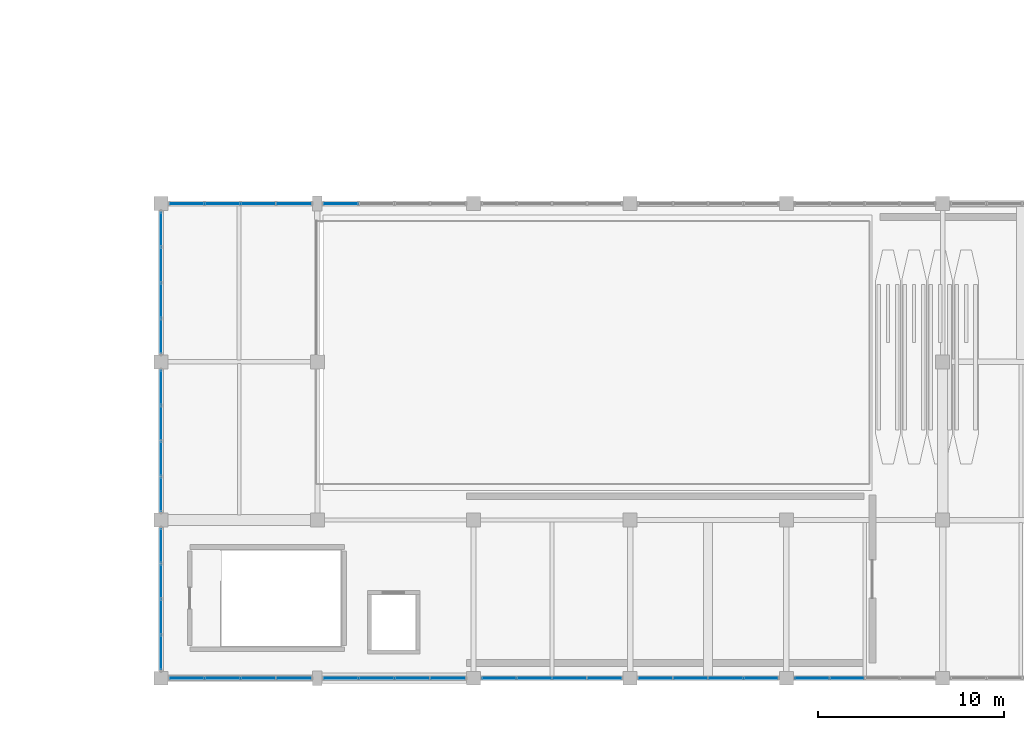
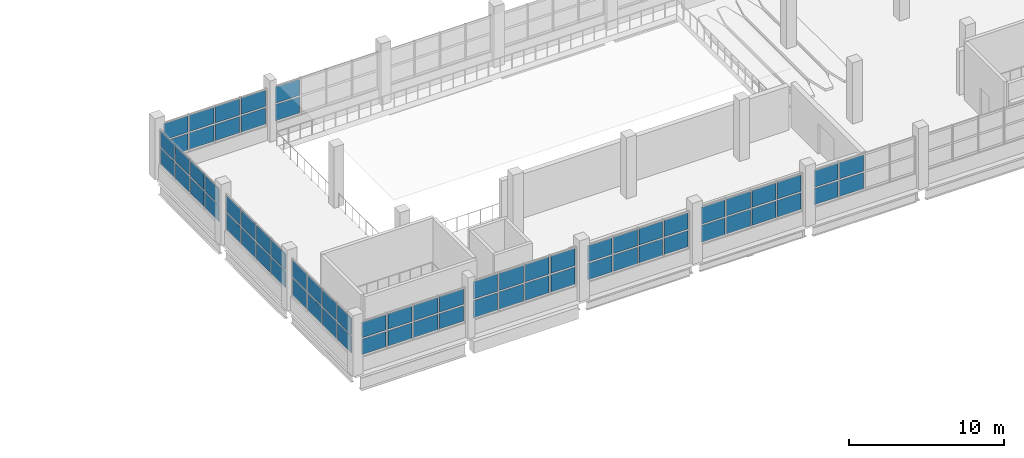
# One storey, part 54 of 77: 70 plates, 10 elements without a shape of their own.
"""IFC4 building model written with IfcOpenShell, lengths in metres."""

from ifc_helpers import new_model, si_unit, direction, frame, origin, origin_2d, place, context, subcontext, project, spatial, rectangle, extrude, material, type_object, element, aggregate, save


model = new_model("IFC4")

# Units and contexts
model_context = context("Model", 3, precision=1e-05, world=origin(), true_north=direction((0.0, 1.0)))
body_context = subcontext(model_context, "Body", "Model", "MODEL_VIEW")
ifc_project = project(units=[si_unit("LENGTHUNIT", "METRE"), si_unit("AREAUNIT", "SQUARE_METRE"), si_unit("VOLUMEUNIT", "CUBIC_METRE"), si_unit("PLANEANGLEUNIT", "RADIAN"), si_unit("MASSUNIT", "GRAM", prefix="KILO")], contexts=[model_context])

# Site, building, storey
site_placement = place(None, origin())
site = spatial("IfcSite", under=ifc_project, at=site_placement, CompositionType="ELEMENT")
building_placement = place(site_placement, origin())
building = spatial("IfcBuilding", under=site, at=building_placement, Name="Solvento Point Concert Hall", CompositionType="ELEMENT")
storey_placement = place(building_placement, frame((0.0, 0.0, 10.199951171875)))
storey = spatial("IfcBuildingStorey", under=building, at=storey_placement, Name="L02", CompositionType="ELEMENT", Elevation=10.199951171875)

# Curtain wall, plates
ifc_material_1 = material(Name="Anodized Bronze Aluminium", Category="aluminium")
curtain_wall_type = type_object("IfcCurtainWallType", Name="CurtainWall_ChamberCircle", PredefinedType="USERDEFINED", material=ifc_material_1)
curtain_wall_1_placement = place(storey_placement, origin())
curtain_wall_1 = element("IfcCurtainWall", 1, at=curtain_wall_1_placement, inside=storey, type_object=curtain_wall_type, Name="Unitised curtain wall CW-32 UCW-L02-145", ObjectType="UNITISED CURTAIN WALL", PredefinedType="USERDEFINED")
ifc_material_2 = material(Name="Hurricane Laminated Low-E Glass", Category="glass")
plate_type = type_object("IfcPlateType", Name="CurtainPanel_ChamberCircle", PredefinedType="CURTAIN_PANEL", material=ifc_material_2)
plate_1_placement = place(storey_placement, frame((151.384521484375, 25.5, 1.240234375), z_axis=(0.0, 0.0, 1.0), x_axis=(1.0, 0.0, 0.0)))
plate_1 = element("IfcPlate", 2, at=plate_1_placement, type_object=plate_type, Name="Glazed curtain panel GL-05", PredefinedType="CURTAIN_PANEL", context=body_context, shape_type="SweptSolid", body=[
    extrude(rectangle(XDim=1.798583984375, YDim=0.048095703125, at=origin_2d()), origin(), (0.0, 0.0, 1.0), 1.277099609375),
])
plate_2_placement = place(storey_placement, frame((151.384521484375, 25.5, 2.63720703125), z_axis=(0.0, 0.0, 1.0), x_axis=(1.0, 0.0, 0.0)))
plate_2 = element("IfcPlate", 3, at=plate_2_placement, type_object=plate_type, Name="Glazed curtain panel GL-05", PredefinedType="CURTAIN_PANEL", context=body_context, shape_type="SweptSolid", body=[
    extrude(rectangle(XDim=1.798583984375, YDim=0.048095703125, at=origin_2d()), origin(), (0.0, 0.0, 1.0), 1.277099609375),
])
plate_3_placement = place(storey_placement, frame((153.302978515625, 25.5, 1.240234375), z_axis=(0.0, 0.0, 1.0), x_axis=(1.0, 0.0, 0.0)))
plate_3 = element("IfcPlate", 4, at=plate_3_placement, type_object=plate_type, Name="Glazed curtain panel GL-05", PredefinedType="CURTAIN_PANEL", context=body_context, shape_type="SweptSolid", body=[
    extrude(rectangle(XDim=1.798583984375, YDim=0.048095703125, at=origin_2d()), origin(), (0.0, 0.0, 1.0), 1.277099609375),
])
plate_4_placement = place(storey_placement, frame((153.302978515625, 25.5, 2.63720703125), z_axis=(0.0, 0.0, 1.0), x_axis=(1.0, 0.0, 0.0)))
plate_4 = element("IfcPlate", 5, at=plate_4_placement, type_object=plate_type, Name="Glazed curtain panel GL-05", PredefinedType="CURTAIN_PANEL", context=body_context, shape_type="SweptSolid", body=[
    extrude(rectangle(XDim=1.798583984375, YDim=0.048095703125, at=origin_2d()), origin(), (0.0, 0.0, 1.0), 1.277099609375),
])
plate_5_placement = place(storey_placement, frame((155.221923828125, 25.5, 1.240234375), z_axis=(0.0, 0.0, 1.0), x_axis=(1.0, 0.0, 0.0)))
plate_5 = element("IfcPlate", 6, at=plate_5_placement, type_object=plate_type, Name="Glazed curtain panel GL-05", PredefinedType="CURTAIN_PANEL", context=body_context, shape_type="SweptSolid", body=[
    extrude(rectangle(XDim=1.798583984375, YDim=0.048095703125, at=origin_2d()), origin(), (0.0, 0.0, 1.0), 1.277099609375),
])
plate_6_placement = place(storey_placement, frame((155.221923828125, 25.5, 2.63720703125), z_axis=(0.0, 0.0, 1.0), x_axis=(1.0, 0.0, 0.0)))
plate_6 = element("IfcPlate", 7, at=plate_6_placement, type_object=plate_type, Name="Glazed curtain panel GL-05", PredefinedType="CURTAIN_PANEL", context=body_context, shape_type="SweptSolid", body=[
    extrude(rectangle(XDim=1.798583984375, YDim=0.048095703125, at=origin_2d()), origin(), (0.0, 0.0, 1.0), 1.277099609375),
])
plate_7_placement = place(storey_placement, frame((157.140625, 25.5, 1.240234375), z_axis=(0.0, 0.0, 1.0), x_axis=(1.0, 0.0, 0.0)))
plate_7 = element("IfcPlate", 8, at=plate_7_placement, type_object=plate_type, Name="Glazed curtain panel GL-05", PredefinedType="CURTAIN_PANEL", context=body_context, shape_type="SweptSolid", body=[
    extrude(rectangle(XDim=1.798583984375, YDim=0.048095703125, at=origin_2d()), origin(), (0.0, 0.0, 1.0), 1.277099609375),
])
plate_8_placement = place(storey_placement, frame((157.140625, 25.5, 2.63720703125), z_axis=(0.0, 0.0, 1.0), x_axis=(1.0, 0.0, 0.0)))
plate_8 = element("IfcPlate", 9, at=plate_8_placement, type_object=plate_type, Name="Glazed curtain panel GL-05", PredefinedType="CURTAIN_PANEL", context=body_context, shape_type="SweptSolid", body=[
    extrude(rectangle(XDim=1.798583984375, YDim=0.048095703125, at=origin_2d()), origin(), (0.0, 0.0, 1.0), 1.277099609375),
])
aggregate(curtain_wall_1, [plate_1, plate_2, plate_3, plate_4, plate_5, plate_6, plate_7, plate_8])

curtain_wall_2_placement = place(storey_placement, origin())
curtain_wall_2 = element("IfcCurtainWall", 10, at=curtain_wall_2_placement, inside=storey, type_object=curtain_wall_type, Name="Unitised curtain wall CW-32 UCW-L02-146", ObjectType="UNITISED CURTAIN WALL", PredefinedType="USERDEFINED")
plate_9_placement = place(storey_placement, frame((159.659423828125, 25.5, 1.239990234375), z_axis=(0.0, 0.0, 1.0), x_axis=(1.0, 0.0, 0.0)))
plate_9 = element("IfcPlate", 11, at=plate_9_placement, type_object=plate_type, Name="Glazed curtain panel GL-05", PredefinedType="CURTAIN_PANEL", context=body_context, shape_type="SweptSolid", body=[
    extrude(rectangle(XDim=1.798828125, YDim=0.048095703125, at=origin_2d()), origin(), (0.0, 0.0, 1.0), 1.26708984375),
])
plate_10_placement = place(storey_placement, frame((159.659423828125, 25.5, 2.626953125), z_axis=(0.0, 0.0, 1.0), x_axis=(1.0, 0.0, 0.0)))
plate_10 = element("IfcPlate", 12, at=plate_10_placement, type_object=plate_type, Name="Glazed curtain panel GL-05", PredefinedType="CURTAIN_PANEL", context=body_context, shape_type="SweptSolid", body=[
    extrude(rectangle(XDim=1.798828125, YDim=0.048095703125, at=origin_2d()), origin(), (0.0, 0.0, 1.0), 1.26708984375),
])
aggregate(curtain_wall_2, [plate_9, plate_10])

curtain_wall_3_placement = place(storey_placement, origin())
curtain_wall_3 = element("IfcCurtainWall", 13, at=curtain_wall_3_placement, inside=storey, type_object=curtain_wall_type, Name="Unitised curtain wall CW-32 UCW-L02-155", ObjectType="UNITISED CURTAIN WALL", PredefinedType="USERDEFINED")
plate_11_placement = place(storey_placement, frame((151.384521484375, 0.0, 1.240234375), z_axis=(0.0, 0.0, 1.0), x_axis=(1.0, 0.0, 0.0)))
plate_11 = element("IfcPlate", 14, at=plate_11_placement, type_object=plate_type, Name="Glazed curtain panel GL-05", PredefinedType="CURTAIN_PANEL", context=body_context, shape_type="SweptSolid", body=[
    extrude(rectangle(XDim=1.798583984375, YDim=0.048095703125, at=origin_2d()), origin(), (0.0, 0.0, 1.0), 1.201904296875),
])
plate_12_placement = place(storey_placement, frame((151.384521484375, 0.0, 2.56201171875), z_axis=(0.0, 0.0, 1.0), x_axis=(1.0, 0.0, 0.0)))
plate_12 = element("IfcPlate", 15, at=plate_12_placement, type_object=plate_type, Name="Glazed curtain panel GL-05", PredefinedType="CURTAIN_PANEL", context=body_context, shape_type="SweptSolid", body=[
    extrude(rectangle(XDim=1.798583984375, YDim=0.048095703125, at=origin_2d()), origin(), (0.0, 0.0, 1.0), 1.201904296875),
])
plate_13_placement = place(storey_placement, frame((153.302978515625, 0.0, 1.240234375), z_axis=(0.0, 0.0, 1.0), x_axis=(1.0, 0.0, 0.0)))
plate_13 = element("IfcPlate", 16, at=plate_13_placement, type_object=plate_type, Name="Glazed curtain panel GL-05", PredefinedType="CURTAIN_PANEL", context=body_context, shape_type="SweptSolid", body=[
    extrude(rectangle(XDim=1.798583984375, YDim=0.048095703125, at=origin_2d()), origin(), (0.0, 0.0, 1.0), 1.201904296875),
])
plate_14_placement = place(storey_placement, frame((153.302978515625, 0.0, 2.56201171875), z_axis=(0.0, 0.0, 1.0), x_axis=(1.0, 0.0, 0.0)))
plate_14 = element("IfcPlate", 17, at=plate_14_placement, type_object=plate_type, Name="Glazed curtain panel GL-05", PredefinedType="CURTAIN_PANEL", context=body_context, shape_type="SweptSolid", body=[
    extrude(rectangle(XDim=1.798583984375, YDim=0.048095703125, at=origin_2d()), origin(), (0.0, 0.0, 1.0), 1.201904296875),
])
plate_15_placement = place(storey_placement, frame((155.221923828125, 0.0, 1.240234375), z_axis=(0.0, 0.0, 1.0), x_axis=(1.0, 0.0, 0.0)))
plate_15 = element("IfcPlate", 18, at=plate_15_placement, type_object=plate_type, Name="Glazed curtain panel GL-05", PredefinedType="CURTAIN_PANEL", context=body_context, shape_type="SweptSolid", body=[
    extrude(rectangle(XDim=1.798583984375, YDim=0.048095703125, at=origin_2d()), origin(), (0.0, 0.0, 1.0), 1.201904296875),
])
plate_16_placement = place(storey_placement, frame((155.221923828125, 0.0, 2.56201171875), z_axis=(0.0, 0.0, 1.0), x_axis=(1.0, 0.0, 0.0)))
plate_16 = element("IfcPlate", 19, at=plate_16_placement, type_object=plate_type, Name="Glazed curtain panel GL-05", PredefinedType="CURTAIN_PANEL", context=body_context, shape_type="SweptSolid", body=[
    extrude(rectangle(XDim=1.798583984375, YDim=0.048095703125, at=origin_2d()), origin(), (0.0, 0.0, 1.0), 1.201904296875),
])
plate_17_placement = place(storey_placement, frame((157.140625, 0.0, 1.240234375), z_axis=(0.0, 0.0, 1.0), x_axis=(1.0, 0.0, 0.0)))
plate_17 = element("IfcPlate", 20, at=plate_17_placement, type_object=plate_type, Name="Glazed curtain panel GL-05", PredefinedType="CURTAIN_PANEL", context=body_context, shape_type="SweptSolid", body=[
    extrude(rectangle(XDim=1.798583984375, YDim=0.048095703125, at=origin_2d()), origin(), (0.0, 0.0, 1.0), 1.201904296875),
])
plate_18_placement = place(storey_placement, frame((157.140625, 0.0, 2.56201171875), z_axis=(0.0, 0.0, 1.0), x_axis=(1.0, 0.0, 0.0)))
plate_18 = element("IfcPlate", 21, at=plate_18_placement, type_object=plate_type, Name="Glazed curtain panel GL-05", PredefinedType="CURTAIN_PANEL", context=body_context, shape_type="SweptSolid", body=[
    extrude(rectangle(XDim=1.798583984375, YDim=0.048095703125, at=origin_2d()), origin(), (0.0, 0.0, 1.0), 1.201904296875),
])
aggregate(curtain_wall_3, [plate_11, plate_12, plate_13, plate_14, plate_15, plate_16, plate_17, plate_18])

curtain_wall_4_placement = place(storey_placement, origin())
curtain_wall_4 = element("IfcCurtainWall", 22, at=curtain_wall_4_placement, inside=storey, type_object=curtain_wall_type, Name="Unitised curtain wall CW-32 UCW-L02-156", ObjectType="UNITISED CURTAIN WALL", PredefinedType="USERDEFINED")
plate_19_placement = place(storey_placement, frame((159.659423828125, 0.0, 1.240234375), z_axis=(0.0, 0.0, 1.0), x_axis=(1.0, 0.0, 0.0)))
plate_19 = element("IfcPlate", 23, at=plate_19_placement, type_object=plate_type, Name="Glazed curtain panel GL-05", PredefinedType="CURTAIN_PANEL", context=body_context, shape_type="SweptSolid", body=[
    extrude(rectangle(XDim=1.798828125, YDim=0.048095703125, at=origin_2d()), origin(), (0.0, 0.0, 1.0), 1.347900390625),
])
plate_20_placement = place(storey_placement, frame((159.659423828125, 0.0, 2.7080078125), z_axis=(0.0, 0.0, 1.0), x_axis=(1.0, 0.0, 0.0)))
plate_20 = element("IfcPlate", 24, at=plate_20_placement, type_object=plate_type, Name="Glazed curtain panel GL-05", PredefinedType="CURTAIN_PANEL", context=body_context, shape_type="SweptSolid", body=[
    extrude(rectangle(XDim=1.798828125, YDim=0.048095703125, at=origin_2d()), origin(), (0.0, 0.0, 1.0), 1.347900390625),
])
plate_21_placement = place(storey_placement, frame((161.578125, 0.0, 1.240234375), z_axis=(0.0, 0.0, 1.0), x_axis=(1.0, 0.0, 0.0)))
plate_21 = element("IfcPlate", 25, at=plate_21_placement, type_object=plate_type, Name="Glazed curtain panel GL-05", PredefinedType="CURTAIN_PANEL", context=body_context, shape_type="SweptSolid", body=[
    extrude(rectangle(XDim=1.798828125, YDim=0.048095703125, at=origin_2d()), origin(), (0.0, 0.0, 1.0), 1.347900390625),
])
plate_22_placement = place(storey_placement, frame((161.578125, 0.0, 2.7080078125), z_axis=(0.0, 0.0, 1.0), x_axis=(1.0, 0.0, 0.0)))
plate_22 = element("IfcPlate", 26, at=plate_22_placement, type_object=plate_type, Name="Glazed curtain panel GL-05", PredefinedType="CURTAIN_PANEL", context=body_context, shape_type="SweptSolid", body=[
    extrude(rectangle(XDim=1.798828125, YDim=0.048095703125, at=origin_2d()), origin(), (0.0, 0.0, 1.0), 1.347900390625),
])
plate_23_placement = place(storey_placement, frame((163.496826171875, 0.0, 1.240234375), z_axis=(0.0, 0.0, 1.0), x_axis=(1.0, 0.0, 0.0)))
plate_23 = element("IfcPlate", 27, at=plate_23_placement, type_object=plate_type, Name="Glazed curtain panel GL-05", PredefinedType="CURTAIN_PANEL", context=body_context, shape_type="SweptSolid", body=[
    extrude(rectangle(XDim=1.798828125, YDim=0.048095703125, at=origin_2d()), origin(), (0.0, 0.0, 1.0), 1.347900390625),
])
plate_24_placement = place(storey_placement, frame((163.496826171875, 0.0, 2.7080078125), z_axis=(0.0, 0.0, 1.0), x_axis=(1.0, 0.0, 0.0)))
plate_24 = element("IfcPlate", 28, at=plate_24_placement, type_object=plate_type, Name="Glazed curtain panel GL-05", PredefinedType="CURTAIN_PANEL", context=body_context, shape_type="SweptSolid", body=[
    extrude(rectangle(XDim=1.798828125, YDim=0.048095703125, at=origin_2d()), origin(), (0.0, 0.0, 1.0), 1.347900390625),
])
plate_25_placement = place(storey_placement, frame((165.41552734375, 0.0, 1.240234375), z_axis=(0.0, 0.0, 1.0), x_axis=(1.0, 0.0, 0.0)))
plate_25 = element("IfcPlate", 29, at=plate_25_placement, type_object=plate_type, Name="Glazed curtain panel GL-05", PredefinedType="CURTAIN_PANEL", context=body_context, shape_type="SweptSolid", body=[
    extrude(rectangle(XDim=1.798828125, YDim=0.048095703125, at=origin_2d()), origin(), (0.0, 0.0, 1.0), 1.347900390625),
])
plate_26_placement = place(storey_placement, frame((165.41552734375, 0.0, 2.7080078125), z_axis=(0.0, 0.0, 1.0), x_axis=(1.0, 0.0, 0.0)))
plate_26 = element("IfcPlate", 30, at=plate_26_placement, type_object=plate_type, Name="Glazed curtain panel GL-05", PredefinedType="CURTAIN_PANEL", context=body_context, shape_type="SweptSolid", body=[
    extrude(rectangle(XDim=1.798828125, YDim=0.048095703125, at=origin_2d()), origin(), (0.0, 0.0, 1.0), 1.347900390625),
])
aggregate(curtain_wall_4, [plate_19, plate_20, plate_21, plate_22, plate_23, plate_24, plate_25, plate_26])

curtain_wall_5_placement = place(storey_placement, origin())
curtain_wall_5 = element("IfcCurtainWall", 31, at=curtain_wall_5_placement, inside=storey, type_object=curtain_wall_type, Name="Unitised curtain wall CW-32 UCW-L02-157", ObjectType="UNITISED CURTAIN WALL", PredefinedType="USERDEFINED")
plate_27_placement = place(storey_placement, frame((168.168701171875, 0.0, 1.240234375), z_axis=(0.0, 0.0, 1.0), x_axis=(1.0, 0.0, 0.0)))
plate_27 = element("IfcPlate", 32, at=plate_27_placement, type_object=plate_type, Name="Glazed curtain panel GL-05", PredefinedType="CURTAIN_PANEL", context=body_context, shape_type="SweptSolid", body=[
    extrude(rectangle(XDim=1.767578125, YDim=0.048095703125, at=origin_2d()), origin(), (0.0, 0.0, 1.0), 1.277099609375),
])
plate_28_placement = place(storey_placement, frame((168.168701171875, 0.0, 2.63720703125), z_axis=(0.0, 0.0, 1.0), x_axis=(1.0, 0.0, 0.0)))
plate_28 = element("IfcPlate", 33, at=plate_28_placement, type_object=plate_type, Name="Glazed curtain panel GL-05", PredefinedType="CURTAIN_PANEL", context=body_context, shape_type="SweptSolid", body=[
    extrude(rectangle(XDim=1.767578125, YDim=0.048095703125, at=origin_2d()), origin(), (0.0, 0.0, 1.0), 1.277099609375),
])
plate_29_placement = place(storey_placement, frame((170.056396484375, 0.0, 1.240234375), z_axis=(0.0, 0.0, 1.0), x_axis=(1.0, 0.0, 0.0)))
plate_29 = element("IfcPlate", 34, at=plate_29_placement, type_object=plate_type, Name="Glazed curtain panel GL-05", PredefinedType="CURTAIN_PANEL", context=body_context, shape_type="SweptSolid", body=[
    extrude(rectangle(XDim=1.767578125, YDim=0.048095703125, at=origin_2d()), origin(), (0.0, 0.0, 1.0), 1.277099609375),
])
plate_30_placement = place(storey_placement, frame((170.056396484375, 0.0, 2.63720703125), z_axis=(0.0, 0.0, 1.0), x_axis=(1.0, 0.0, 0.0)))
plate_30 = element("IfcPlate", 35, at=plate_30_placement, type_object=plate_type, Name="Glazed curtain panel GL-05", PredefinedType="CURTAIN_PANEL", context=body_context, shape_type="SweptSolid", body=[
    extrude(rectangle(XDim=1.767578125, YDim=0.048095703125, at=origin_2d()), origin(), (0.0, 0.0, 1.0), 1.277099609375),
])
plate_31_placement = place(storey_placement, frame((171.943603515625, 0.0, 1.240234375), z_axis=(0.0, 0.0, 1.0), x_axis=(1.0, 0.0, 0.0)))
plate_31 = element("IfcPlate", 36, at=plate_31_placement, type_object=plate_type, Name="Glazed curtain panel GL-05", PredefinedType="CURTAIN_PANEL", context=body_context, shape_type="SweptSolid", body=[
    extrude(rectangle(XDim=1.767578125, YDim=0.048095703125, at=origin_2d()), origin(), (0.0, 0.0, 1.0), 1.277099609375),
])
plate_32_placement = place(storey_placement, frame((171.943603515625, 0.0, 2.63720703125), z_axis=(0.0, 0.0, 1.0), x_axis=(1.0, 0.0, 0.0)))
plate_32 = element("IfcPlate", 37, at=plate_32_placement, type_object=plate_type, Name="Glazed curtain panel GL-05", PredefinedType="CURTAIN_PANEL", context=body_context, shape_type="SweptSolid", body=[
    extrude(rectangle(XDim=1.767578125, YDim=0.048095703125, at=origin_2d()), origin(), (0.0, 0.0, 1.0), 1.277099609375),
])
plate_33_placement = place(storey_placement, frame((173.831298828125, 0.0, 1.240234375), z_axis=(0.0, 0.0, 1.0), x_axis=(1.0, 0.0, 0.0)))
plate_33 = element("IfcPlate", 38, at=plate_33_placement, type_object=plate_type, Name="Glazed curtain panel GL-05", PredefinedType="CURTAIN_PANEL", context=body_context, shape_type="SweptSolid", body=[
    extrude(rectangle(XDim=1.767578125, YDim=0.048095703125, at=origin_2d()), origin(), (0.0, 0.0, 1.0), 1.277099609375),
])
plate_34_placement = place(storey_placement, frame((173.831298828125, 0.0, 2.63720703125), z_axis=(0.0, 0.0, 1.0), x_axis=(1.0, 0.0, 0.0)))
plate_34 = element("IfcPlate", 39, at=plate_34_placement, type_object=plate_type, Name="Glazed curtain panel GL-05", PredefinedType="CURTAIN_PANEL", context=body_context, shape_type="SweptSolid", body=[
    extrude(rectangle(XDim=1.767578125, YDim=0.048095703125, at=origin_2d()), origin(), (0.0, 0.0, 1.0), 1.277099609375),
])
aggregate(curtain_wall_5, [plate_27, plate_28, plate_29, plate_30, plate_31, plate_32, plate_33, plate_34])

curtain_wall_6_placement = place(storey_placement, origin())
curtain_wall_6 = element("IfcCurtainWall", 40, at=curtain_wall_6_placement, inside=storey, type_object=curtain_wall_type, Name="Unitised curtain wall CW-32 UCW-L02-158", ObjectType="UNITISED CURTAIN WALL", PredefinedType="USERDEFINED")
plate_35_placement = place(storey_placement, frame((176.568603515625, 0.0, 1.240234375), z_axis=(0.0, 0.0, 1.0), x_axis=(1.0, 0.0, 0.0)))
plate_35 = element("IfcPlate", 41, at=plate_35_placement, type_object=plate_type, Name="Glazed curtain panel GL-05", PredefinedType="CURTAIN_PANEL", context=body_context, shape_type="SweptSolid", body=[
    extrude(rectangle(XDim=1.767578125, YDim=0.048095703125, at=origin_2d()), origin(), (0.0, 0.0, 1.0), 1.305419921875),
])
plate_36_placement = place(storey_placement, frame((176.568603515625, 0.0, 2.66552734375), z_axis=(0.0, 0.0, 1.0), x_axis=(1.0, 0.0, 0.0)))
plate_36 = element("IfcPlate", 42, at=plate_36_placement, type_object=plate_type, Name="Glazed curtain panel GL-05", PredefinedType="CURTAIN_PANEL", context=body_context, shape_type="SweptSolid", body=[
    extrude(rectangle(XDim=1.767578125, YDim=0.048095703125, at=origin_2d()), origin(), (0.0, 0.0, 1.0), 1.305419921875),
])
plate_37_placement = place(storey_placement, frame((178.456298828125, 0.0, 1.240234375), z_axis=(0.0, 0.0, 1.0), x_axis=(1.0, 0.0, 0.0)))
plate_37 = element("IfcPlate", 43, at=plate_37_placement, type_object=plate_type, Name="Glazed curtain panel GL-05", PredefinedType="CURTAIN_PANEL", context=body_context, shape_type="SweptSolid", body=[
    extrude(rectangle(XDim=1.767578125, YDim=0.048095703125, at=origin_2d()), origin(), (0.0, 0.0, 1.0), 1.305419921875),
])
plate_38_placement = place(storey_placement, frame((178.456298828125, 0.0, 2.66552734375), z_axis=(0.0, 0.0, 1.0), x_axis=(1.0, 0.0, 0.0)))
plate_38 = element("IfcPlate", 44, at=plate_38_placement, type_object=plate_type, Name="Glazed curtain panel GL-05", PredefinedType="CURTAIN_PANEL", context=body_context, shape_type="SweptSolid", body=[
    extrude(rectangle(XDim=1.767578125, YDim=0.048095703125, at=origin_2d()), origin(), (0.0, 0.0, 1.0), 1.305419921875),
])
plate_39_placement = place(storey_placement, frame((180.34375, 0.0, 1.240234375), z_axis=(0.0, 0.0, 1.0), x_axis=(1.0, 0.0, 0.0)))
plate_39 = element("IfcPlate", 45, at=plate_39_placement, type_object=plate_type, Name="Glazed curtain panel GL-05", PredefinedType="CURTAIN_PANEL", context=body_context, shape_type="SweptSolid", body=[
    extrude(rectangle(XDim=1.767578125, YDim=0.048095703125, at=origin_2d()), origin(), (0.0, 0.0, 1.0), 1.305419921875),
])
plate_40_placement = place(storey_placement, frame((180.34375, 0.0, 2.66552734375), z_axis=(0.0, 0.0, 1.0), x_axis=(1.0, 0.0, 0.0)))
plate_40 = element("IfcPlate", 46, at=plate_40_placement, type_object=plate_type, Name="Glazed curtain panel GL-05", PredefinedType="CURTAIN_PANEL", context=body_context, shape_type="SweptSolid", body=[
    extrude(rectangle(XDim=1.767578125, YDim=0.048095703125, at=origin_2d()), origin(), (0.0, 0.0, 1.0), 1.305419921875),
])
plate_41_placement = place(storey_placement, frame((182.231201171875, 0.0, 1.240234375), z_axis=(0.0, 0.0, 1.0), x_axis=(1.0, 0.0, 0.0)))
plate_41 = element("IfcPlate", 47, at=plate_41_placement, type_object=plate_type, Name="Glazed curtain panel GL-05", PredefinedType="CURTAIN_PANEL", context=body_context, shape_type="SweptSolid", body=[
    extrude(rectangle(XDim=1.767578125, YDim=0.048095703125, at=origin_2d()), origin(), (0.0, 0.0, 1.0), 1.305419921875),
])
plate_42_placement = place(storey_placement, frame((182.231201171875, 0.0, 2.66552734375), z_axis=(0.0, 0.0, 1.0), x_axis=(1.0, 0.0, 0.0)))
plate_42 = element("IfcPlate", 48, at=plate_42_placement, type_object=plate_type, Name="Glazed curtain panel GL-05", PredefinedType="CURTAIN_PANEL", context=body_context, shape_type="SweptSolid", body=[
    extrude(rectangle(XDim=1.767578125, YDim=0.048095703125, at=origin_2d()), origin(), (0.0, 0.0, 1.0), 1.305419921875),
])
aggregate(curtain_wall_6, [plate_35, plate_36, plate_37, plate_38, plate_39, plate_40, plate_41, plate_42])

curtain_wall_7_placement = place(storey_placement, origin())
curtain_wall_7 = element("IfcCurtainWall", 49, at=curtain_wall_7_placement, inside=storey, type_object=curtain_wall_type, Name="Unitised curtain wall CW-32 UCW-L02-159", ObjectType="UNITISED CURTAIN WALL", PredefinedType="USERDEFINED")
plate_43_placement = place(storey_placement, frame((184.96875, 0.0, 1.239990234375), z_axis=(0.0, 0.0, 1.0), x_axis=(1.0, 0.0, 0.0)))
plate_43 = element("IfcPlate", 50, at=plate_43_placement, type_object=plate_type, Name="Glazed curtain panel GL-05", PredefinedType="CURTAIN_PANEL", context=body_context, shape_type="SweptSolid", body=[
    extrude(rectangle(XDim=1.767578125, YDim=0.048095703125, at=origin_2d()), origin(), (0.0, 0.0, 1.0), 1.26708984375),
])
plate_44_placement = place(storey_placement, frame((184.96875, 0.0, 2.626953125), z_axis=(0.0, 0.0, 1.0), x_axis=(1.0, 0.0, 0.0)))
plate_44 = element("IfcPlate", 51, at=plate_44_placement, type_object=plate_type, Name="Glazed curtain panel GL-05", PredefinedType="CURTAIN_PANEL", context=body_context, shape_type="SweptSolid", body=[
    extrude(rectangle(XDim=1.767578125, YDim=0.048095703125, at=origin_2d()), origin(), (0.0, 0.0, 1.0), 1.26708984375),
])
plate_45_placement = place(storey_placement, frame((186.856201171875, 0.0, 1.239990234375), z_axis=(0.0, 0.0, 1.0), x_axis=(1.0, 0.0, 0.0)))
plate_45 = element("IfcPlate", 52, at=plate_45_placement, type_object=plate_type, Name="Glazed curtain panel GL-05", PredefinedType="CURTAIN_PANEL", context=body_context, shape_type="SweptSolid", body=[
    extrude(rectangle(XDim=1.767578125, YDim=0.048095703125, at=origin_2d()), origin(), (0.0, 0.0, 1.0), 1.26708984375),
])
plate_46_placement = place(storey_placement, frame((186.856201171875, 0.0, 2.626953125), z_axis=(0.0, 0.0, 1.0), x_axis=(1.0, 0.0, 0.0)))
plate_46 = element("IfcPlate", 53, at=plate_46_placement, type_object=plate_type, Name="Glazed curtain panel GL-05", PredefinedType="CURTAIN_PANEL", context=body_context, shape_type="SweptSolid", body=[
    extrude(rectangle(XDim=1.767578125, YDim=0.048095703125, at=origin_2d()), origin(), (0.0, 0.0, 1.0), 1.26708984375),
])
aggregate(curtain_wall_7, [plate_43, plate_44, plate_45, plate_46])

curtain_wall_8_placement = place(storey_placement, origin())
curtain_wall_8 = element("IfcCurtainWall", 54, at=curtain_wall_8_placement, inside=storey, type_object=curtain_wall_type, Name="Unitised curtain wall CW-32 UCW-L02-162", ObjectType="UNITISED CURTAIN WALL", PredefinedType="USERDEFINED")
plate_47_placement = place(storey_placement, frame((150.0, 1.38134765625, 1.240234375), z_axis=(0.0, 0.0, 1.0), x_axis=(0.0, 1.0, 0.0)))
plate_47 = element("IfcPlate", 55, at=plate_47_placement, type_object=plate_type, Name="Glazed curtain panel GL-05", PredefinedType="CURTAIN_PANEL", context=body_context, shape_type="SweptSolid", body=[
    extrude(rectangle(XDim=1.79248046875, YDim=0.048095703125, at=origin_2d()), origin(), (0.0, 0.0, 1.0), 1.305419921875),
])
plate_48_placement = place(storey_placement, frame((150.0, 1.38134765625, 2.66552734375), z_axis=(0.0, 0.0, 1.0), x_axis=(0.0, 1.0, 0.0)))
plate_48 = element("IfcPlate", 56, at=plate_48_placement, type_object=plate_type, Name="Glazed curtain panel GL-05", PredefinedType="CURTAIN_PANEL", context=body_context, shape_type="SweptSolid", body=[
    extrude(rectangle(XDim=1.79248046875, YDim=0.048095703125, at=origin_2d()), origin(), (0.0, 0.0, 1.0), 1.305419921875),
])
plate_49_placement = place(storey_placement, frame((150.0, 3.293701171875, 1.240234375), z_axis=(0.0, 0.0, 1.0), x_axis=(0.0, 1.0, 0.0)))
plate_49 = element("IfcPlate", 57, at=plate_49_placement, type_object=plate_type, Name="Glazed curtain panel GL-05", PredefinedType="CURTAIN_PANEL", context=body_context, shape_type="SweptSolid", body=[
    extrude(rectangle(XDim=1.79248046875, YDim=0.048095703125, at=origin_2d()), origin(), (0.0, 0.0, 1.0), 1.305419921875),
])
plate_50_placement = place(storey_placement, frame((150.0, 3.293701171875, 2.66552734375), z_axis=(0.0, 0.0, 1.0), x_axis=(0.0, 1.0, 0.0)))
plate_50 = element("IfcPlate", 58, at=plate_50_placement, type_object=plate_type, Name="Glazed curtain panel GL-05", PredefinedType="CURTAIN_PANEL", context=body_context, shape_type="SweptSolid", body=[
    extrude(rectangle(XDim=1.79248046875, YDim=0.048095703125, at=origin_2d()), origin(), (0.0, 0.0, 1.0), 1.305419921875),
])
plate_51_placement = place(storey_placement, frame((150.0, 5.206298828125, 1.240234375), z_axis=(0.0, 0.0, 1.0), x_axis=(0.0, 1.0, 0.0)))
plate_51 = element("IfcPlate", 59, at=plate_51_placement, type_object=plate_type, Name="Glazed curtain panel GL-05", PredefinedType="CURTAIN_PANEL", context=body_context, shape_type="SweptSolid", body=[
    extrude(rectangle(XDim=1.79248046875, YDim=0.048095703125, at=origin_2d()), origin(), (0.0, 0.0, 1.0), 1.305419921875),
])
plate_52_placement = place(storey_placement, frame((150.0, 5.206298828125, 2.66552734375), z_axis=(0.0, 0.0, 1.0), x_axis=(0.0, 1.0, 0.0)))
plate_52 = element("IfcPlate", 60, at=plate_52_placement, type_object=plate_type, Name="Glazed curtain panel GL-05", PredefinedType="CURTAIN_PANEL", context=body_context, shape_type="SweptSolid", body=[
    extrude(rectangle(XDim=1.79248046875, YDim=0.048095703125, at=origin_2d()), origin(), (0.0, 0.0, 1.0), 1.305419921875),
])
plate_53_placement = place(storey_placement, frame((150.0, 7.118896484375, 1.240234375), z_axis=(0.0, 0.0, 1.0), x_axis=(0.0, 1.0, 0.0)))
plate_53 = element("IfcPlate", 61, at=plate_53_placement, type_object=plate_type, Name="Glazed curtain panel GL-05", PredefinedType="CURTAIN_PANEL", context=body_context, shape_type="SweptSolid", body=[
    extrude(rectangle(XDim=1.79248046875, YDim=0.048095703125, at=origin_2d()), origin(), (0.0, 0.0, 1.0), 1.305419921875),
])
plate_54_placement = place(storey_placement, frame((150.0, 7.118896484375, 2.66552734375), z_axis=(0.0, 0.0, 1.0), x_axis=(0.0, 1.0, 0.0)))
plate_54 = element("IfcPlate", 62, at=plate_54_placement, type_object=plate_type, Name="Glazed curtain panel GL-05", PredefinedType="CURTAIN_PANEL", context=body_context, shape_type="SweptSolid", body=[
    extrude(rectangle(XDim=1.79248046875, YDim=0.048095703125, at=origin_2d()), origin(), (0.0, 0.0, 1.0), 1.305419921875),
])
aggregate(curtain_wall_8, [plate_47, plate_48, plate_49, plate_50, plate_51, plate_52, plate_53, plate_54])

curtain_wall_9_placement = place(storey_placement, origin())
curtain_wall_9 = element("IfcCurtainWall", 63, at=curtain_wall_9_placement, inside=storey, type_object=curtain_wall_type, Name="Unitised curtain wall CW-32 UCW-L02-163", ObjectType="UNITISED CURTAIN WALL", PredefinedType="USERDEFINED")
plate_55_placement = place(storey_placement, frame((150.0, 9.881103515625, 1.239990234375), z_axis=(0.0, 0.0, 1.0), x_axis=(0.0, 1.0, 0.0)))
plate_55 = element("IfcPlate", 64, at=plate_55_placement, type_object=plate_type, Name="Glazed curtain panel GL-05", PredefinedType="CURTAIN_PANEL", context=body_context, shape_type="SweptSolid", body=[
    extrude(rectangle(XDim=1.79248046875, YDim=0.048095703125, at=origin_2d()), origin(), (0.0, 0.0, 1.0), 1.26708984375),
])
plate_56_placement = place(storey_placement, frame((150.0, 9.881103515625, 2.626953125), z_axis=(0.0, 0.0, 1.0), x_axis=(0.0, 1.0, 0.0)))
plate_56 = element("IfcPlate", 65, at=plate_56_placement, type_object=plate_type, Name="Glazed curtain panel GL-05", PredefinedType="CURTAIN_PANEL", context=body_context, shape_type="SweptSolid", body=[
    extrude(rectangle(XDim=1.79248046875, YDim=0.048095703125, at=origin_2d()), origin(), (0.0, 0.0, 1.0), 1.26708984375),
])
plate_57_placement = place(storey_placement, frame((150.0, 11.793701171875, 1.239990234375), z_axis=(0.0, 0.0, 1.0), x_axis=(0.0, 1.0, 0.0)))
plate_57 = element("IfcPlate", 66, at=plate_57_placement, type_object=plate_type, Name="Glazed curtain panel GL-05", PredefinedType="CURTAIN_PANEL", context=body_context, shape_type="SweptSolid", body=[
    extrude(rectangle(XDim=1.79248046875, YDim=0.048095703125, at=origin_2d()), origin(), (0.0, 0.0, 1.0), 1.26708984375),
])
plate_58_placement = place(storey_placement, frame((150.0, 11.793701171875, 2.626953125), z_axis=(0.0, 0.0, 1.0), x_axis=(0.0, 1.0, 0.0)))
plate_58 = element("IfcPlate", 67, at=plate_58_placement, type_object=plate_type, Name="Glazed curtain panel GL-05", PredefinedType="CURTAIN_PANEL", context=body_context, shape_type="SweptSolid", body=[
    extrude(rectangle(XDim=1.79248046875, YDim=0.048095703125, at=origin_2d()), origin(), (0.0, 0.0, 1.0), 1.26708984375),
])
plate_59_placement = place(storey_placement, frame((150.0, 13.706298828125, 1.239990234375), z_axis=(0.0, 0.0, 1.0), x_axis=(0.0, 1.0, 0.0)))
plate_59 = element("IfcPlate", 68, at=plate_59_placement, type_object=plate_type, Name="Glazed curtain panel GL-05", PredefinedType="CURTAIN_PANEL", context=body_context, shape_type="SweptSolid", body=[
    extrude(rectangle(XDim=1.79248046875, YDim=0.048095703125, at=origin_2d()), origin(), (0.0, 0.0, 1.0), 1.26708984375),
])
plate_60_placement = place(storey_placement, frame((150.0, 13.706298828125, 2.626953125), z_axis=(0.0, 0.0, 1.0), x_axis=(0.0, 1.0, 0.0)))
plate_60 = element("IfcPlate", 69, at=plate_60_placement, type_object=plate_type, Name="Glazed curtain panel GL-05", PredefinedType="CURTAIN_PANEL", context=body_context, shape_type="SweptSolid", body=[
    extrude(rectangle(XDim=1.79248046875, YDim=0.048095703125, at=origin_2d()), origin(), (0.0, 0.0, 1.0), 1.26708984375),
])
plate_61_placement = place(storey_placement, frame((150.0, 15.61865234375, 1.239990234375), z_axis=(0.0, 0.0, 1.0), x_axis=(0.0, 1.0, 0.0)))
plate_61 = element("IfcPlate", 70, at=plate_61_placement, type_object=plate_type, Name="Glazed curtain panel GL-05", PredefinedType="CURTAIN_PANEL", context=body_context, shape_type="SweptSolid", body=[
    extrude(rectangle(XDim=1.79248046875, YDim=0.048095703125, at=origin_2d()), origin(), (0.0, 0.0, 1.0), 1.26708984375),
])
plate_62_placement = place(storey_placement, frame((150.0, 15.61865234375, 2.626953125), z_axis=(0.0, 0.0, 1.0), x_axis=(0.0, 1.0, 0.0)))
plate_62 = element("IfcPlate", 71, at=plate_62_placement, type_object=plate_type, Name="Glazed curtain panel GL-05", PredefinedType="CURTAIN_PANEL", context=body_context, shape_type="SweptSolid", body=[
    extrude(rectangle(XDim=1.79248046875, YDim=0.048095703125, at=origin_2d()), origin(), (0.0, 0.0, 1.0), 1.26708984375),
])
aggregate(curtain_wall_9, [plate_55, plate_56, plate_57, plate_58, plate_59, plate_60, plate_61, plate_62])

curtain_wall_10_placement = place(storey_placement, origin())
curtain_wall_10 = element("IfcCurtainWall", 72, at=curtain_wall_10_placement, inside=storey, type_object=curtain_wall_type, Name="Unitised curtain wall CW-32 UCW-L02-164", ObjectType="UNITISED CURTAIN WALL", PredefinedType="USERDEFINED")
plate_63_placement = place(storey_placement, frame((150.0, 18.38134765625, 1.240234375), z_axis=(0.0, 0.0, 1.0), x_axis=(0.0, 1.0, 0.0)))
plate_63 = element("IfcPlate", 73, at=plate_63_placement, type_object=plate_type, Name="Glazed curtain panel GL-05", PredefinedType="CURTAIN_PANEL", context=body_context, shape_type="SweptSolid", body=[
    extrude(rectangle(XDim=1.79248046875, YDim=0.048095703125, at=origin_2d()), origin(), (0.0, 0.0, 1.0), 1.222412109375),
])
plate_64_placement = place(storey_placement, frame((150.0, 18.38134765625, 2.58251953125), z_axis=(0.0, 0.0, 1.0), x_axis=(0.0, 1.0, 0.0)))
plate_64 = element("IfcPlate", 74, at=plate_64_placement, type_object=plate_type, Name="Glazed curtain panel GL-05", PredefinedType="CURTAIN_PANEL", context=body_context, shape_type="SweptSolid", body=[
    extrude(rectangle(XDim=1.79248046875, YDim=0.048095703125, at=origin_2d()), origin(), (0.0, 0.0, 1.0), 1.222412109375),
])
plate_65_placement = place(storey_placement, frame((150.0, 20.293701171875, 1.240234375), z_axis=(0.0, 0.0, 1.0), x_axis=(0.0, 1.0, 0.0)))
plate_65 = element("IfcPlate", 75, at=plate_65_placement, type_object=plate_type, Name="Glazed curtain panel GL-05", PredefinedType="CURTAIN_PANEL", context=body_context, shape_type="SweptSolid", body=[
    extrude(rectangle(XDim=1.79248046875, YDim=0.048095703125, at=origin_2d()), origin(), (0.0, 0.0, 1.0), 1.222412109375),
])
plate_66_placement = place(storey_placement, frame((150.0, 20.293701171875, 2.58251953125), z_axis=(0.0, 0.0, 1.0), x_axis=(0.0, 1.0, 0.0)))
plate_66 = element("IfcPlate", 76, at=plate_66_placement, type_object=plate_type, Name="Glazed curtain panel GL-05", PredefinedType="CURTAIN_PANEL", context=body_context, shape_type="SweptSolid", body=[
    extrude(rectangle(XDim=1.79248046875, YDim=0.048095703125, at=origin_2d()), origin(), (0.0, 0.0, 1.0), 1.222412109375),
])
plate_67_placement = place(storey_placement, frame((150.0, 22.206298828125, 1.240234375), z_axis=(0.0, 0.0, 1.0), x_axis=(0.0, 1.0, 0.0)))
plate_67 = element("IfcPlate", 77, at=plate_67_placement, type_object=plate_type, Name="Glazed curtain panel GL-05", PredefinedType="CURTAIN_PANEL", context=body_context, shape_type="SweptSolid", body=[
    extrude(rectangle(XDim=1.79248046875, YDim=0.048095703125, at=origin_2d()), origin(), (0.0, 0.0, 1.0), 1.222412109375),
])
plate_68_placement = place(storey_placement, frame((150.0, 22.206298828125, 2.58251953125), z_axis=(0.0, 0.0, 1.0), x_axis=(0.0, 1.0, 0.0)))
plate_68 = element("IfcPlate", 78, at=plate_68_placement, type_object=plate_type, Name="Glazed curtain panel GL-05", PredefinedType="CURTAIN_PANEL", context=body_context, shape_type="SweptSolid", body=[
    extrude(rectangle(XDim=1.79248046875, YDim=0.048095703125, at=origin_2d()), origin(), (0.0, 0.0, 1.0), 1.222412109375),
])
plate_69_placement = place(storey_placement, frame((150.0, 24.11865234375, 1.240234375), z_axis=(0.0, 0.0, 1.0), x_axis=(0.0, 1.0, 0.0)))
plate_69 = element("IfcPlate", 79, at=plate_69_placement, type_object=plate_type, Name="Glazed curtain panel GL-05", PredefinedType="CURTAIN_PANEL", context=body_context, shape_type="SweptSolid", body=[
    extrude(rectangle(XDim=1.79248046875, YDim=0.048095703125, at=origin_2d()), origin(), (0.0, 0.0, 1.0), 1.222412109375),
])
plate_70_placement = place(storey_placement, frame((150.0, 24.11865234375, 2.58251953125), z_axis=(0.0, 0.0, 1.0), x_axis=(0.0, 1.0, 0.0)))
plate_70 = element("IfcPlate", 80, at=plate_70_placement, type_object=plate_type, Name="Glazed curtain panel GL-05", PredefinedType="CURTAIN_PANEL", context=body_context, shape_type="SweptSolid", body=[
    extrude(rectangle(XDim=1.79248046875, YDim=0.048095703125, at=origin_2d()), origin(), (0.0, 0.0, 1.0), 1.222412109375),
])
aggregate(curtain_wall_10, [plate_63, plate_64, plate_65, plate_66, plate_67, plate_68, plate_69, plate_70])

save(model, "model.ifc")
